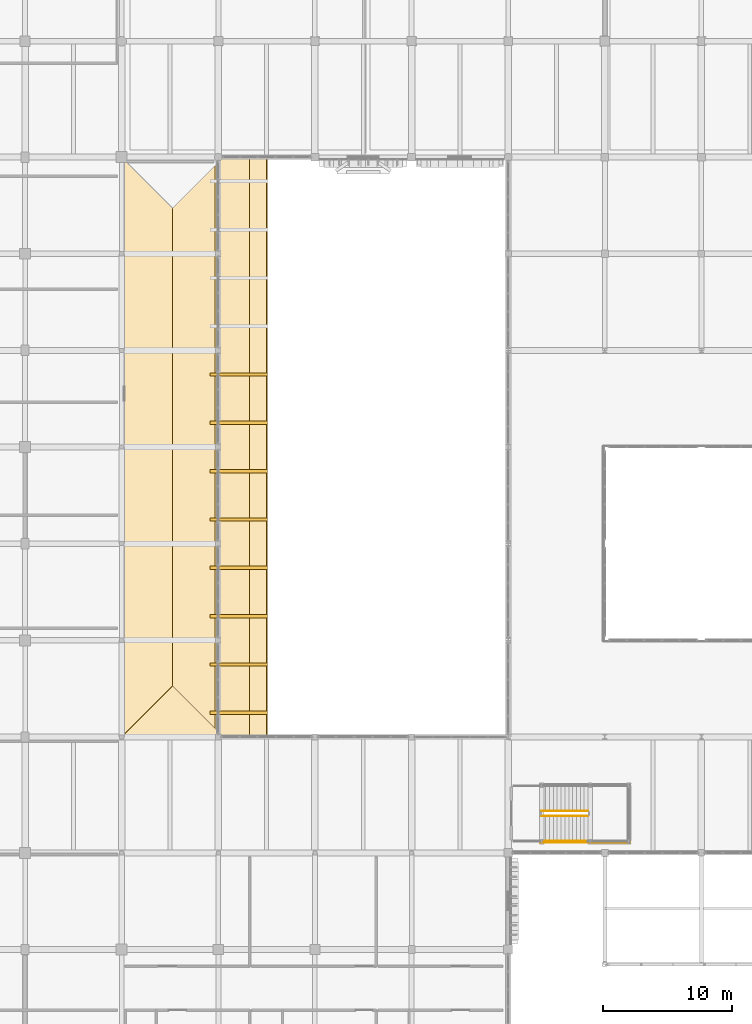
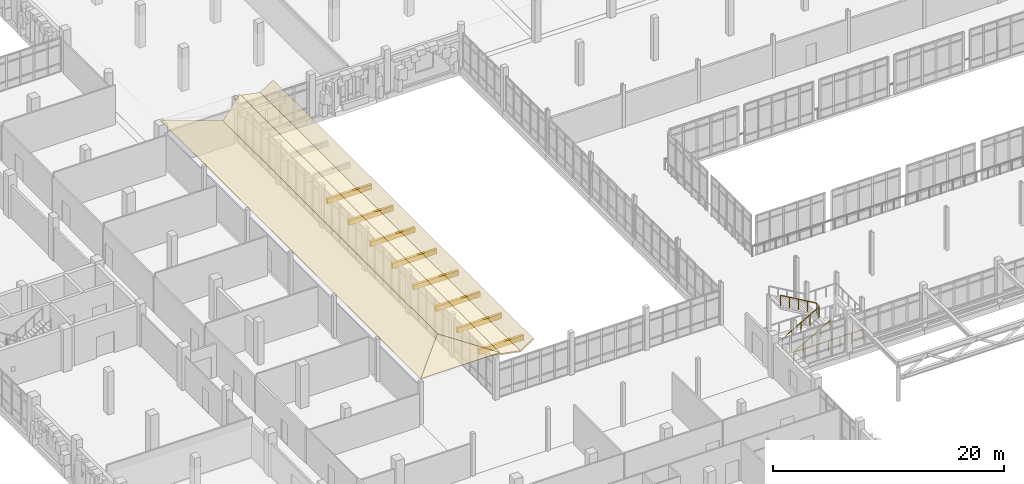
# One storey, part 111 of 128: 13 coverings, 4 railings.
"""IFC4 building model written with IfcOpenShell, lengths in metres."""

from ifc_helpers import new_model, si_unit, direction, frame, origin, origin_2d, place, context, subcontext, project, spatial, polyline, rectangle, circle, outline, extrude, material, layer, layer_set, type_object, element, save


model = new_model("IFC4")

# Units and contexts
model_context = context("Model", 3, precision=1e-05, world=origin(), true_north=direction((0.0, 1.0)))
body_context = subcontext(model_context, "Body", "Model", "MODEL_VIEW")
ifc_project = project(units=[si_unit("LENGTHUNIT", "METRE"), si_unit("AREAUNIT", "SQUARE_METRE"), si_unit("VOLUMEUNIT", "CUBIC_METRE"), si_unit("PLANEANGLEUNIT", "RADIAN"), si_unit("MASSUNIT", "GRAM", prefix="KILO")], contexts=[model_context])

# Site, building, storey
site_placement = place(None, origin())
site = spatial("IfcSite", under=ifc_project, at=site_placement, CompositionType="ELEMENT")
building_placement = place(site_placement, origin())
building = spatial("IfcBuilding", under=site, at=building_placement, Name="Dalvernix Boulevard General Hospital", CompositionType="ELEMENT")
storey_placement = place(building_placement, frame((0.0, 0.0, 4.800048828125)))
storey = spatial("IfcBuildingStorey", under=building, at=storey_placement, Name="L01", CompositionType="ELEMENT", Elevation=4.800048828125)

# Coverings
ifc_material_1 = material(Name="Glazed Catalan terracotta and iroko timber overhanging upturned eave", Category="masonry")
ifc_layer_1 = layer(ifc_material_1, 0.139892578125)
ifc_layer_set_1 = layer_set([ifc_layer_1], Name="Glazed Catalan terracotta and iroko timber overhanging upturned eave (COV-EAVE-01)")
covering_type_1 = type_object("IfcCoveringType", Name="COV-EAVE-01", PredefinedType="CLADDING", material=ifc_layer_set_1)
covering_1_placement = place(storey_placement, frame((37.25, 31.5, 4.704833984375), z_axis=(0.185805173125, 0.0, 0.982586605669), x_axis=(0.0, 1.0, 0.0)))
element("IfcCovering", 1, at=covering_1_placement, inside=storey, type_object=covering_type_1, Name="V6W overhanging ceramic eave skirt E", PredefinedType="CLADDING", context=body_context, shape_type="SweptSolid", body=[
    extrude(outline(polyline([(0.0, 0.0), (45.0, 0.0), (45.0, -2.798735484621844), (0.0, -2.798735484621844), (0.0, 0.0)])), origin(), (0.0, 0.0, -1.0), 0.139892578125),
])
covering_2_placement = place(storey_placement, frame((39.919921875, 31.5, 4.184814453125), z_axis=(-0.542906093133, 0.0, 0.839793411524), x_axis=(0.0, 1.0, 0.0)))
element("IfcCovering", 2, at=covering_2_placement, inside=storey, type_object=covering_type_1, Name="V6W upturned ceramic eave wing E", PredefinedType="CLADDING", context=body_context, shape_type="SweptSolid", body=[
    extrude(outline(polyline([(0.0, 0.0), (45.0, 0.0), (45.0, -1.5838158608391104), (0.0, -1.5838158608391104), (0.0, 0.0)])), origin(), (0.0, 0.0, -1.0), 0.139892578125),
])
ifc_material_2 = material(Name="Preservative-treated glulam GL28h eave outlooker corbel bracket", Category="wood")
ifc_layer_2 = layer(ifc_material_2, 0.239990234375)
ifc_layer_set_2 = layer_set([ifc_layer_2], Name="Preservative-treated glulam GL28h eave outlooker corbel bracket (COV-OUTLOOK-01)")
covering_type_2 = type_object("IfcCoveringType", Name="COV-OUTLOOK-01", PredefinedType="CLADDING", material=ifc_layer_set_2)
for number, where, z_axis, x_axis, name in (
    (3, (39.074951171875, 33.375, 3.78466796875), (0.0, 0.0, 1.0), (1.0, 0.0, 0.0), "V6W glulam eave outlooker corbel E-1"),
    (4, (39.074951171875, 37.125, 3.78466796875), (0.0, 0.0, 1.0), (1.0, 0.0, 0.0), "V6W glulam eave outlooker corbel E-2"),
    (5, (39.074951171875, 40.875, 3.78466796875), (0.0, 0.0, 1.0), (1.0, 0.0, 0.0), "V6W glulam eave outlooker corbel E-3"),
    (6, (39.074951171875, 44.625, 3.78466796875), (0.0, 0.0, 1.0), (1.0, 0.0, 0.0), "V6W glulam eave outlooker corbel E-4"),
    (7, (39.074951171875, 48.375, 3.78466796875), (0.0, 0.0, 1.0), (1.0, 0.0, 0.0), "V6W glulam eave outlooker corbel E-5"),
    (8, (39.074951171875, 52.125, 3.78466796875), (0.0, 0.0, 1.0), (1.0, 0.0, 0.0), "V6W glulam eave outlooker corbel E-6"),
    (9, (39.074951171875, 55.875, 3.78466796875), (0.0, 0.0, 1.0), (1.0, 0.0, 0.0), "V6W glulam eave outlooker corbel E-7"),
    (10, (39.074951171875, 59.625, 3.78466796875), (0.0, 0.0, 1.0), (1.0, 0.0, 0.0), "V6W glulam eave outlooker corbel E-8"),
):
    element("IfcCovering", number, at=place(storey_placement, frame(where, z_axis=z_axis, x_axis=x_axis)), inside=storey, type_object=covering_type_2, Name=name, PredefinedType="CLADDING", context=body_context, shape_type="SweptSolid", body=[
        extrude(rectangle(XDim=4.449951171875, YDim=0.260009765625, at=origin_2d()), origin(), (0.0, 0.0, 1.0), 0.52001953125),
    ])
ifc_material_3 = material(Name="Polychrome Catalan glazed terracotta roof tiles", Category="masonry")
ifc_layer_3 = layer(ifc_material_3, 0.050048828125)
ifc_layer_set_3 = layer_set([ifc_layer_3], Name="Polychrome Catalan glazed terracotta roof tiles (COV-ROOF-01)")
covering_type_3 = type_object("IfcCoveringType", Name="COV-ROOF-01", PredefinedType="ROOFING", material=ifc_layer_set_3)
for number, where, z_axis, x_axis, name in (
    (11, (30.0, 76.5, 4.71484375), (-0.238536653022, 0.0, 0.971133495028), (0.0, -1.0, 0.0), "V6W glazed terracotta tile slope W"),
    (12, (37.89990234375, 31.5, 4.71484375), (0.238536653022, 0.0, 0.971133495028), (0.0, 1.0, 0.0), "V6W glazed terracotta tile slope E"),
):
    element("IfcCovering", number, at=place(storey_placement, frame(where, z_axis=z_axis, x_axis=x_axis)), inside=storey, type_object=covering_type_3, Name=name, PredefinedType="ROOFING", context=body_context, shape_type="SweptSolid", body=[
        extrude(outline(polyline([(0.0, 0.0), (45.0, 0.0), (41.050048828125, 4.06736168827282), (3.949951171875, 4.06736168827282), (0.0, 0.0)])), origin(), (0.0, 0.0, -1.0), 0.050048828125),
    ])
covering_3_placement = place(storey_placement, frame((30.0, 31.5, 4.71484375), z_axis=(0.0, -0.238536653022, 0.971133495028), x_axis=(1.0, 0.0, 0.0)))
element("IfcCovering", 13, at=covering_3_placement, inside=storey, type_object=covering_type_3, Name="V6W glazed terracotta tile slope S", PredefinedType="ROOFING", context=body_context, shape_type="SweptSolid", body=[
    extrude(outline(polyline([(0.0, 0.0), (7.89990234375, 0.0), (3.949951171875, 4.06736168827282), (0.0, 0.0)])), origin(), (0.0, 0.0, -1.0), 0.050048828125),
])

# Railings
ifc_material_4 = material(Name="Brushed stainless steel balustrade", Category="steel")
railing_type_1 = type_object("IfcRailingType", Name="RL-GR-INT1", PredefinedType="BALUSTRADE", material=ifc_material_4)
railing_1_placement = place(storey_placement, frame((62.60009765625, 25.35009765625, 0.173095703125)))
element("IfcRailing", 14, at=railing_1_placement, inside=storey, type_object=railing_type_1, Name="L01 ST-07 stair guard 1", PredefinedType="BALUSTRADE", context=body_context, shape_type="SweptSolid", body=[
    extrude(circle(Radius=0.02392578125, at=origin_2d()), frame((0.0, 0.0, 1.09619140625), z_axis=(0.866178740119, 0.0, 0.499734319579), x_axis=(0.0, 1.0, 0.0)), (0.0, 0.0, 1.0), 4.156005859375),
    extrude(circle(Radius=0.02099609375, at=origin_2d()), origin(), (0.0, 0.0, 1.0), 1.072021484375),
    extrude(circle(Radius=0.02099609375, at=origin_2d()), frame((0.89990234375, 0.0, 0.519287109375)), (0.0, 0.0, 1.0), 1.072021484375),
    extrude(circle(Radius=0.02099609375, at=origin_2d()), frame((1.7998046875, 0.0, 1.03857421875)), (0.0, 0.0, 1.0), 1.072021484375),
    extrude(circle(Radius=0.02099609375, at=origin_2d()), frame((2.699951171875, 0.0, 1.5576171875)), (0.0, 0.0, 1.0), 1.072021484375),
    extrude(circle(Radius=0.02099609375, at=origin_2d()), frame((3.599853515625, 0.0, 2.076904296875)), (0.0, 0.0, 1.0), 1.072021484375),
])
railing_2_placement = place(storey_placement, frame((66.199951171875, 25.75, 2.423095703125)))
element("IfcRailing", 15, at=railing_2_placement, inside=storey, type_object=railing_type_1, Name="L01 ST-07 stair guard 6", PredefinedType="BALUSTRADE", context=body_context, shape_type="SweptSolid", body=[
    extrude(circle(Radius=0.02392578125, at=origin_2d()), frame((0.0, 0.0, 1.09619140625), z_axis=(-0.866178740119, 0.0, 0.499734319579), x_axis=(0.0, -1.0, 0.0)), (0.0, 0.0, 1.0), 4.156005859375),
    extrude(circle(Radius=0.02099609375, at=origin_2d()), origin(), (0.0, 0.0, 1.0), 1.072021484375),
    extrude(circle(Radius=0.02099609375, at=origin_2d()), frame((-0.89990234375, 0.0, 0.519287109375)), (0.0, 0.0, 1.0), 1.072021484375),
    extrude(circle(Radius=0.02099609375, at=origin_2d()), frame((-1.7998046875, 0.0, 1.03857421875)), (0.0, 0.0, 1.0), 1.072021484375),
    extrude(circle(Radius=0.02099609375, at=origin_2d()), frame((-2.699951171875, 0.0, 1.5576171875)), (0.0, 0.0, 1.0), 1.072021484375),
    extrude(circle(Radius=0.02099609375, at=origin_2d()), frame((-3.599853515625, 0.0, 2.076904296875)), (0.0, 0.0, 1.0), 1.072021484375),
])
railing_3_placement = place(storey_placement, frame((62.5, 23.300048828125, 0.0)))
element("IfcRailing", 16, at=railing_3_placement, inside=storey, type_object=railing_type_1, Name="L01 ST-07 stair guard 10", PredefinedType="BALUSTRADE", context=body_context, shape_type="SweptSolid", body=[
    extrude(circle(Radius=0.02392578125, at=origin_2d()), frame((0.0, 0.0, 1.09619140625), z_axis=(1.0, 0.0, 0.0), x_axis=(0.0, 1.0, 0.0)), (0.0, 0.0, 1.0), 6.949951171875),
    extrude(circle(Radius=0.02099609375, at=origin_2d()), origin(), (0.0, 0.0, 1.0), 1.072021484375),
    extrude(circle(Radius=0.02099609375, at=origin_2d()), frame((1.158203125, 0.0, 0.0)), (0.0, 0.0, 1.0), 1.072021484375),
    extrude(circle(Radius=0.02099609375, at=origin_2d()), frame((2.316650390625, 0.0, 0.0)), (0.0, 0.0, 1.0), 1.072021484375),
    extrude(circle(Radius=0.02099609375, at=origin_2d()), frame((3.47509765625, 0.0, 0.0)), (0.0, 0.0, 1.0), 1.072021484375),
    extrude(circle(Radius=0.02099609375, at=origin_2d()), frame((4.63330078125, 0.0, 0.0)), (0.0, 0.0, 1.0), 1.072021484375),
    extrude(circle(Radius=0.02099609375, at=origin_2d()), frame((5.79150390625, 0.0, 0.0)), (0.0, 0.0, 1.0), 1.072021484375),
    extrude(circle(Radius=0.02099609375, at=origin_2d()), frame((6.949951171875, 0.0, 0.0)), (0.0, 0.0, 1.0), 1.072021484375),
])
ifc_material_5 = material(Name="Brushed stainless steel wall handrail", Category="steel")
railing_type_2 = type_object("IfcRailingType", Name="RL-HR-INT1", PredefinedType="HANDRAIL", material=ifc_material_5)
railing_4_placement = place(storey_placement, frame((62.60009765625, 23.39990234375, 0.173095703125)))
element("IfcRailing", 17, at=railing_4_placement, inside=storey, type_object=railing_type_2, Name="L01 ST-07 stair handrail 1", PredefinedType="HANDRAIL", context=body_context, shape_type="SweptSolid", body=[
    extrude(circle(Radius=0.02392578125, at=origin_2d()), frame((0.0, 0.0, 0.8759765625), z_axis=(0.866178740119, 0.0, 0.499734319579), x_axis=(0.0, 1.0, 0.0)), (0.0, 0.0, 1.0), 4.156005859375),
    extrude(circle(Radius=0.02099609375, at=origin_2d()), origin(), (0.0, 0.0, 1.0), 0.851806640625),
    extrude(circle(Radius=0.02099609375, at=origin_2d()), frame((0.89990234375, 0.0, 0.519287109375)), (0.0, 0.0, 1.0), 0.851806640625),
    extrude(circle(Radius=0.02099609375, at=origin_2d()), frame((1.7998046875, 0.0, 1.03857421875)), (0.0, 0.0, 1.0), 0.851806640625),
    extrude(circle(Radius=0.02099609375, at=origin_2d()), frame((2.699951171875, 0.0, 1.5576171875)), (0.0, 0.0, 1.0), 0.851806640625),
    extrude(circle(Radius=0.02099609375, at=origin_2d()), frame((3.599853515625, 0.0, 2.076904296875)), (0.0, 0.0, 1.0), 0.851806640625),
])

save(model, "model.ifc")
